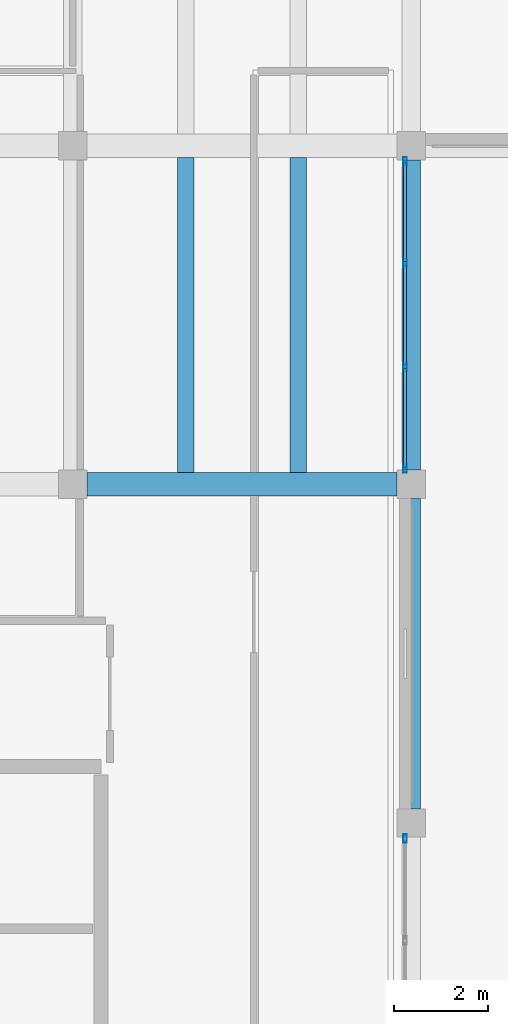
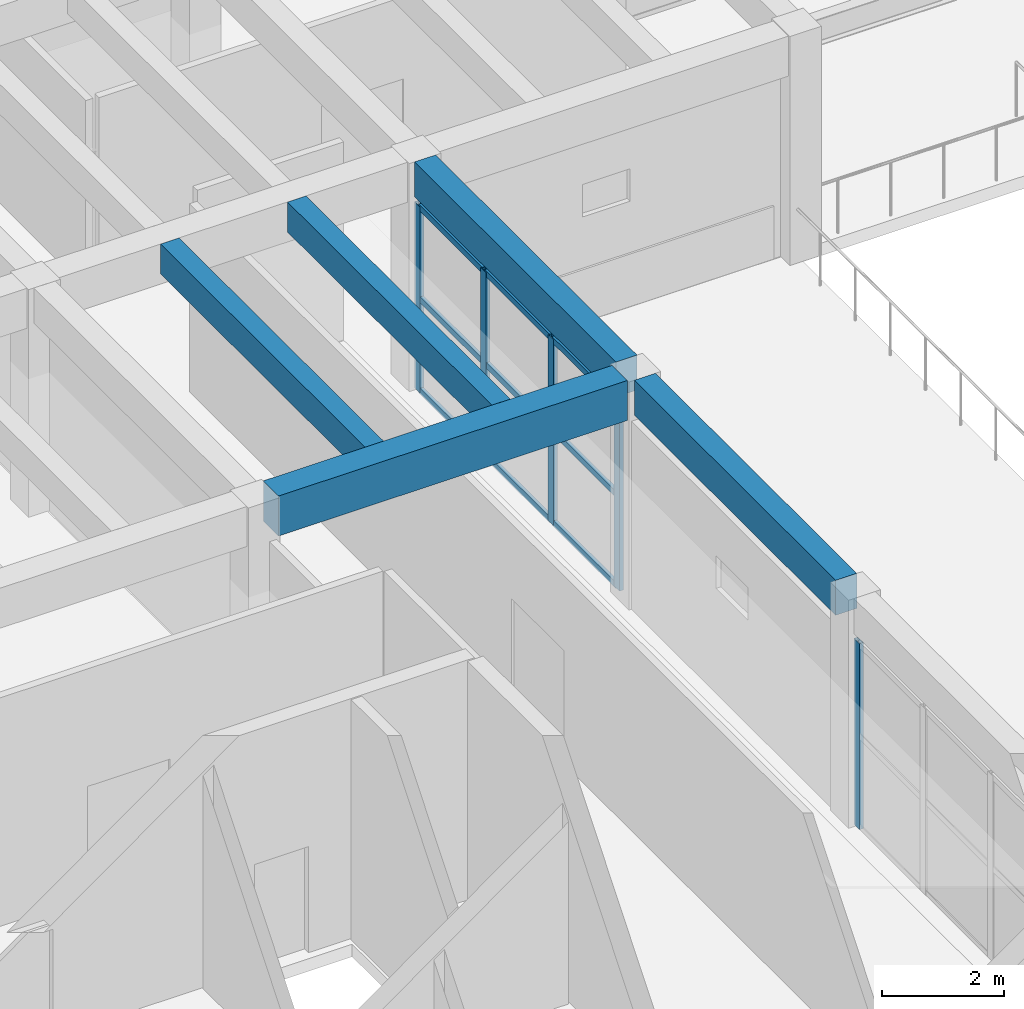
# One storey, part 20 of 155: 14 members, 5 beams, 2 elements without a shape of their own.
"""IFC4 building model written with IfcOpenShell, lengths in metres."""

from ifc_helpers import new_model, si_unit, direction, frame, origin, origin_2d, place, context, subcontext, project, spatial, rectangle, hollow_rectangle, extrude, material, material_profile, profile_set, type_object, element, aggregate, save


model = new_model("IFC4")

# Units and contexts
model_context = context("Model", 3, precision=1e-05, world=origin(), true_north=direction((0.0, 1.0)))
body_context = subcontext(model_context, "Body", "Model", "MODEL_VIEW")
ifc_project = project(units=[si_unit("LENGTHUNIT", "METRE"), si_unit("AREAUNIT", "SQUARE_METRE"), si_unit("VOLUMEUNIT", "CUBIC_METRE"), si_unit("PLANEANGLEUNIT", "RADIAN"), si_unit("MASSUNIT", "GRAM", prefix="KILO")], contexts=[model_context])

# Site, building, storey
site_placement = place(None, origin())
site = spatial("IfcSite", under=ifc_project, at=site_placement, CompositionType="ELEMENT")
building_placement = place(site_placement, origin())
building = spatial("IfcBuilding", under=site, at=building_placement, Name="Bramvelor Terrace Health Centre", CompositionType="ELEMENT")
storey_placement = place(building_placement, origin())
storey = spatial("IfcBuildingStorey", under=building, at=storey_placement, Name="L01", CompositionType="ELEMENT", Elevation=0.0)

# Beams
ifc_material_1 = material(Name="Concrete C40/50", Category="concrete")
ifc_material_profile_1 = material_profile(ifc_material_1, rectangle(XDim=0.39990234375, YDim=0.699951171875, at=origin_2d()), Name="RC 400x700")
ifc_profile_set_1 = profile_set([ifc_material_profile_1], Name="Concrete C40/50")
beam_type_1 = type_object("IfcBeamType", Name="BM-RC-G700", PredefinedType="BEAM", material=ifc_profile_set_1)
beam_1_placement = place(storey_placement, frame((21.60009765625, 36.300048828125, 4.2099609375), z_axis=(0.0, 1.0, 0.0), x_axis=(-1.0, 0.0, 0.0)))
element("IfcBeam", 1, at=beam_1_placement, inside=storey, type_object=beam_type_1, Name="L01 Floor Girder", PredefinedType="BEAM", context=body_context, shape_type="SweptSolid", body=[
    extrude(rectangle(XDim=0.39990234375, YDim=0.699951171875, at=origin_2d()), origin(), (0.0, 0.0, 1.0), 6.599853515625),
])
beam_2_placement = place(storey_placement, frame((21.60009765625, 43.5, 4.2099609375), z_axis=(0.0, 1.0, 0.0), x_axis=(-1.0, 0.0, 0.0)))
element("IfcBeam", 2, at=beam_2_placement, inside=storey, type_object=beam_type_1, Name="L01 Floor Girder", PredefinedType="BEAM", context=body_context, shape_type="SweptSolid", body=[
    extrude(rectangle(XDim=0.39990234375, YDim=0.699951171875, at=origin_2d()), origin(), (0.0, 0.0, 1.0), 6.60009765625),
])
ifc_material_2 = material(Name="Concrete C40/50", Category="concrete")
ifc_material_profile_2 = material_profile(ifc_material_2, rectangle(XDim=0.5, YDim=0.800048828125, at=origin_2d()), Name="RC 500x800")
ifc_profile_set_2 = profile_set([ifc_material_profile_2], Name="Concrete C40/50")
beam_type_2 = type_object("IfcBeamType", Name="BM-RC-G800", PredefinedType="BEAM", material=ifc_profile_set_2)
beam_3_placement = place(storey_placement, frame((14.699951171875, 43.199951171875, 4.159912109375), z_axis=(1.0, 0.0, 0.0), x_axis=(0.0, 1.0, 0.0)))
element("IfcBeam", 3, at=beam_3_placement, inside=storey, type_object=beam_type_2, Name="L01 Floor Girder", PredefinedType="BEAM", context=body_context, shape_type="SweptSolid", body=[
    extrude(rectangle(XDim=0.5, YDim=0.800048828125, at=origin_2d()), origin(), (0.0, 0.0, 1.0), 6.60009765625),
])
ifc_material_3 = material(Name="Concrete C40/50", Category="concrete")
ifc_material_profile_3 = material_profile(ifc_material_3, rectangle(XDim=0.35009765625, YDim=0.60009765625, at=origin_2d()), Name="RC 350x600")
ifc_profile_set_3 = profile_set([ifc_material_profile_3], Name="Concrete C40/50")
beam_type_3 = type_object("IfcBeamType", Name="BM-RC-J600", PredefinedType="JOIST", material=ifc_profile_set_3)
for number, where, z_axis, x_axis, name in (
    (4, (16.800048828125, 43.449951171875, 4.260009765625), (0.0, 1.0, 0.0), (-1.0, 0.0, 0.0), "L01 Secondary Floor Joist"),
    (5, (19.199951171875, 43.449951171875, 4.260009765625), (0.0, 1.0, 0.0), (-1.0, 0.0, 0.0), "L01 Secondary Floor Joist"),
):
    element("IfcBeam", number, at=place(storey_placement, frame(where, z_axis=z_axis, x_axis=x_axis)), inside=storey, type_object=beam_type_3, Name=name, PredefinedType="JOIST", context=body_context, shape_type="SweptSolid", body=[
        extrude(rectangle(XDim=0.35009765625, YDim=0.60009765625, at=origin_2d()), origin(), (0.0, 0.0, 1.0), 6.699951171875),
    ])

# Curtain wall, members
ifc_material_4 = material(Name="Anodized aluminium and double low-E glass", Category="aluminium")
curtain_wall_type = type_object("IfcCurtainWallType", Name="CW-SYS-02", PredefinedType="NOTDEFINED", material=ifc_material_4)
curtain_wall_1_placement = place(storey_placement, origin())
curtain_wall_1 = element("IfcCurtainWall", 6, at=curtain_wall_1_placement, inside=storey, type_object=curtain_wall_type, Name="L01 Unitized Curtain Wall 4", PredefinedType="NOTDEFINED")
ifc_material_5 = material(Name="Anodized aluminium 6063-T6", Category="aluminium")
ifc_material_profile_4 = material_profile(ifc_material_5, hollow_rectangle(XDim=0.074951171875, YDim=0.179931640625, WallThickness=0.00341796875, at=origin_2d()), Name="ALU-MUL 75x180x3.5")
ifc_profile_set_4 = profile_set([ifc_material_profile_4], Name="Anodized aluminium 6063-T6")
member_type_1 = type_object("IfcMemberType", Name="CW-MUL-65x180", PredefinedType="MULLION", material=ifc_profile_set_4)
member_1_placement = place(storey_placement, frame((21.469970703125, 50.0673828125, 0.0), z_axis=(0.0, 0.0, 1.0), x_axis=(1.0, 0.0, 0.0)))
member_1 = element("IfcMember", 7, at=member_1_placement, type_object=member_type_1, Name="CW-02 mullion 1", PredefinedType="MULLION", context=body_context, shape_type="SweptSolid", body=[
    extrude(hollow_rectangle(XDim=0.074951171875, YDim=0.179931640625, WallThickness=0.00341796875, at=origin_2d()), origin(), (0.0, 0.0, 1.0), 3.719970703125),
])
member_2_placement = place(storey_placement, frame((21.469970703125, 47.901611328125, 0.0), z_axis=(0.0, 0.0, 1.0), x_axis=(1.0, 0.0, 0.0)))
member_2 = element("IfcMember", 8, at=member_2_placement, type_object=member_type_1, Name="CW-02 mullion 2", PredefinedType="MULLION", context=body_context, shape_type="SweptSolid", body=[
    extrude(hollow_rectangle(XDim=0.074951171875, YDim=0.179931640625, WallThickness=0.00341796875, at=origin_2d()), origin(), (0.0, 0.0, 1.0), 3.719970703125),
])
member_3_placement = place(storey_placement, frame((21.469970703125, 45.6982421875, 0.0), z_axis=(0.0, 0.0, 1.0), x_axis=(1.0, 0.0, 0.0)))
member_3 = element("IfcMember", 9, at=member_3_placement, type_object=member_type_1, Name="CW-02 mullion 3", PredefinedType="MULLION", context=body_context, shape_type="SweptSolid", body=[
    extrude(hollow_rectangle(XDim=0.074951171875, YDim=0.179931640625, WallThickness=0.00341796875, at=origin_2d()), origin(), (0.0, 0.0, 1.0), 3.719970703125),
])
member_4_placement = place(storey_placement, frame((21.469970703125, 43.532470703125, 0.0), z_axis=(0.0, 0.0, 1.0), x_axis=(1.0, 0.0, 0.0)))
member_4 = element("IfcMember", 10, at=member_4_placement, type_object=member_type_1, Name="CW-02 mullion 4", PredefinedType="MULLION", context=body_context, shape_type="SweptSolid", body=[
    extrude(hollow_rectangle(XDim=0.074951171875, YDim=0.179931640625, WallThickness=0.00341796875, at=origin_2d()), origin(), (0.0, 0.0, 1.0), 3.719970703125),
])

# Curtain wall, member
curtain_wall_2_placement = place(storey_placement, origin())
curtain_wall_2 = element("IfcCurtainWall", 11, at=curtain_wall_2_placement, inside=storey, type_object=curtain_wall_type, Name="L01 Unitized Curtain Wall 5", PredefinedType="NOTDEFINED")
member_5_placement = place(storey_placement, frame((21.469970703125, 35.66748046875, 0.0), z_axis=(0.0, 0.0, 1.0), x_axis=(1.0, 0.0, 0.0)))
member_5 = element("IfcMember", 12, at=member_5_placement, type_object=member_type_1, Name="CW-02 mullion 1", PredefinedType="MULLION", context=body_context, shape_type="SweptSolid", body=[
    extrude(hollow_rectangle(XDim=0.074951171875, YDim=0.179931640625, WallThickness=0.00341796875, at=origin_2d()), origin(), (0.0, 0.0, 1.0), 3.719970703125),
])
aggregate(curtain_wall_2, [member_5])

# Member
ifc_material_6 = material(Name="Anodized aluminium 6063-T6", Category="aluminium")
ifc_material_profile_5 = material_profile(ifc_material_6, hollow_rectangle(XDim=0.06494140625, YDim=0.1201171875, WallThickness=0.0029296875, at=origin_2d()), Name="ALU-TRN 65x120x3.0")
ifc_profile_set_5 = profile_set([ifc_material_profile_5], Name="Anodized aluminium 6063-T6")
member_type_2 = type_object("IfcMemberType", Name="CW-TRN-65x150", PredefinedType="USERDEFINED", material=ifc_profile_set_5)
member_6_placement = place(storey_placement, frame((21.469970703125, 50.030029296875, 0.032470703125), z_axis=(0.0, -1.0, 0.0), x_axis=(1.0, 0.0, 0.0)))
member_6 = element("IfcMember", 13, at=member_6_placement, type_object=member_type_2, Name="CW-02 transom 1.1", ObjectType="TRANSOM", PredefinedType="USERDEFINED", context=body_context, shape_type="SweptSolid", body=[
    extrude(hollow_rectangle(XDim=0.06494140625, YDim=0.1201171875, WallThickness=0.0029296875, at=origin_2d()), origin(), (0.0, 0.0, 1.0), 2.0908203125),
])

member_7_placement = place(storey_placement, frame((21.469970703125, 50.030029296875, 1.860107421875), z_axis=(0.0, -1.0, 0.0), x_axis=(1.0, 0.0, 0.0)))
member_7 = element("IfcMember", 14, at=member_7_placement, type_object=member_type_2, Name="CW-02 transom 1.2", ObjectType="TRANSOM", PredefinedType="USERDEFINED", context=body_context, shape_type="SweptSolid", body=[
    extrude(hollow_rectangle(XDim=0.06494140625, YDim=0.1201171875, WallThickness=0.0029296875, at=origin_2d()), origin(), (0.0, 0.0, 1.0), 2.0908203125),
])

member_8_placement = place(storey_placement, frame((21.469970703125, 50.030029296875, 3.6875), z_axis=(0.0, -1.0, 0.0), x_axis=(1.0, 0.0, 0.0)))
member_8 = element("IfcMember", 15, at=member_8_placement, type_object=member_type_2, Name="CW-02 transom 1.3", ObjectType="TRANSOM", PredefinedType="USERDEFINED", context=body_context, shape_type="SweptSolid", body=[
    extrude(hollow_rectangle(XDim=0.06494140625, YDim=0.1201171875, WallThickness=0.0029296875, at=origin_2d()), origin(), (0.0, 0.0, 1.0), 2.0908203125),
])

member_9_placement = place(storey_placement, frame((21.469970703125, 47.8642578125, 0.032470703125), z_axis=(0.0, -1.0, 0.0), x_axis=(1.0, 0.0, 0.0)))
member_9 = element("IfcMember", 16, at=member_9_placement, type_object=member_type_2, Name="CW-02 transom 2.1", ObjectType="TRANSOM", PredefinedType="USERDEFINED", context=body_context, shape_type="SweptSolid", body=[
    extrude(hollow_rectangle(XDim=0.06494140625, YDim=0.1201171875, WallThickness=0.0029296875, at=origin_2d()), origin(), (0.0, 0.0, 1.0), 2.12841796875),
])

member_10_placement = place(storey_placement, frame((21.469970703125, 47.8642578125, 1.860107421875), z_axis=(0.0, -1.0, 0.0), x_axis=(1.0, 0.0, 0.0)))
member_10 = element("IfcMember", 17, at=member_10_placement, type_object=member_type_2, Name="CW-02 transom 2.2", ObjectType="TRANSOM", PredefinedType="USERDEFINED", context=body_context, shape_type="SweptSolid", body=[
    extrude(hollow_rectangle(XDim=0.06494140625, YDim=0.1201171875, WallThickness=0.0029296875, at=origin_2d()), origin(), (0.0, 0.0, 1.0), 2.12841796875),
])

member_11_placement = place(storey_placement, frame((21.469970703125, 47.8642578125, 3.6875), z_axis=(0.0, -1.0, 0.0), x_axis=(1.0, 0.0, 0.0)))
member_11 = element("IfcMember", 18, at=member_11_placement, type_object=member_type_2, Name="CW-02 transom 2.3", ObjectType="TRANSOM", PredefinedType="USERDEFINED", context=body_context, shape_type="SweptSolid", body=[
    extrude(hollow_rectangle(XDim=0.06494140625, YDim=0.1201171875, WallThickness=0.0029296875, at=origin_2d()), origin(), (0.0, 0.0, 1.0), 2.12841796875),
])

member_12_placement = place(storey_placement, frame((21.469970703125, 45.660888671875, 0.032470703125), z_axis=(0.0, -1.0, 0.0), x_axis=(1.0, 0.0, 0.0)))
member_12 = element("IfcMember", 19, at=member_12_placement, type_object=member_type_2, Name="CW-02 transom 3.1", ObjectType="TRANSOM", PredefinedType="USERDEFINED", context=body_context, shape_type="SweptSolid", body=[
    extrude(hollow_rectangle(XDim=0.06494140625, YDim=0.1201171875, WallThickness=0.0029296875, at=origin_2d()), origin(), (0.0, 0.0, 1.0), 2.0908203125),
])

member_13_placement = place(storey_placement, frame((21.469970703125, 45.660888671875, 1.860107421875), z_axis=(0.0, -1.0, 0.0), x_axis=(1.0, 0.0, 0.0)))
member_13 = element("IfcMember", 20, at=member_13_placement, type_object=member_type_2, Name="CW-02 transom 3.2", ObjectType="TRANSOM", PredefinedType="USERDEFINED", context=body_context, shape_type="SweptSolid", body=[
    extrude(hollow_rectangle(XDim=0.06494140625, YDim=0.1201171875, WallThickness=0.0029296875, at=origin_2d()), origin(), (0.0, 0.0, 1.0), 2.0908203125),
])

member_14_placement = place(storey_placement, frame((21.469970703125, 45.660888671875, 3.6875), z_axis=(0.0, -1.0, 0.0), x_axis=(1.0, 0.0, 0.0)))
member_14 = element("IfcMember", 21, at=member_14_placement, type_object=member_type_2, Name="CW-02 transom 3.3", ObjectType="TRANSOM", PredefinedType="USERDEFINED", context=body_context, shape_type="SweptSolid", body=[
    extrude(hollow_rectangle(XDim=0.06494140625, YDim=0.1201171875, WallThickness=0.0029296875, at=origin_2d()), origin(), (0.0, 0.0, 1.0), 2.0908203125),
])

aggregate(curtain_wall_1, [member_1, member_2, member_3, member_4, member_6, member_7, member_8, member_9, member_10, member_11, member_12, member_13, member_14])

save(model, "model.ifc")
